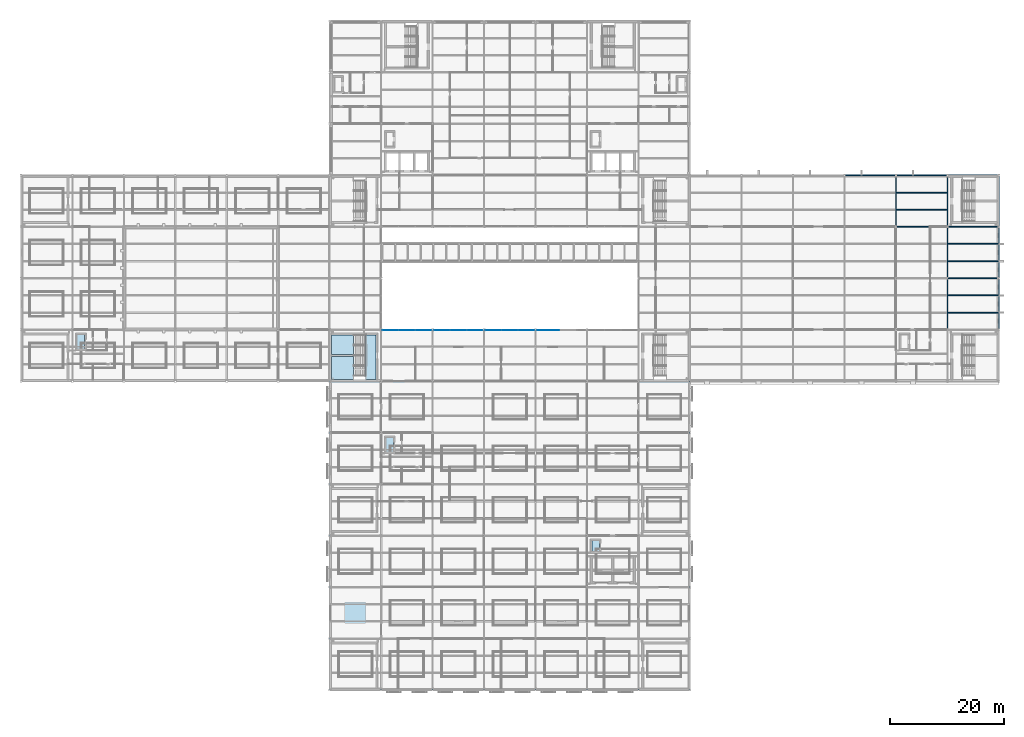
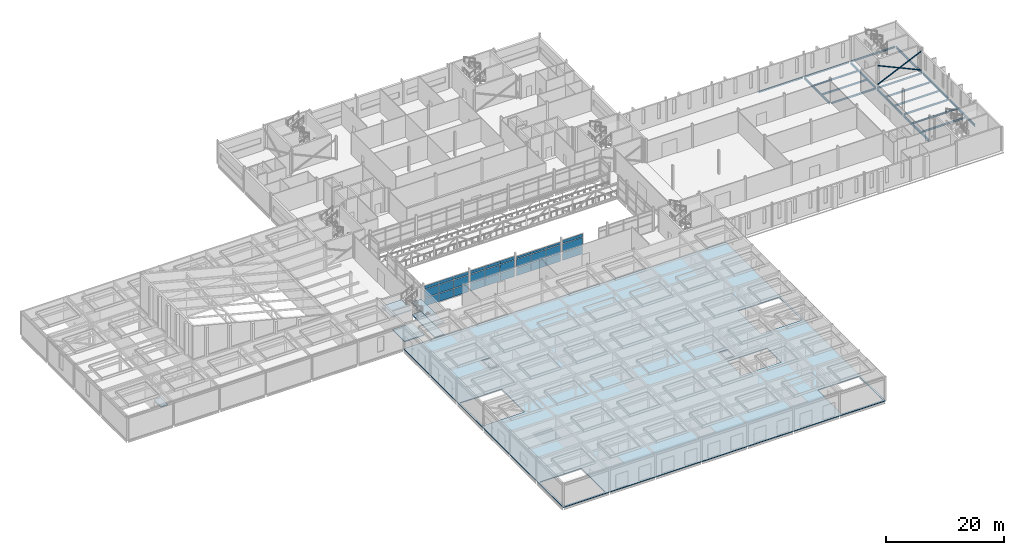
# One storey, part 71 of 115: 30 plates, 19 beams, 8 slabs, 2 members, 5 elements without a shape of their own.
"""IFC4 building model written with IfcOpenShell, lengths in metres."""

import ifcopenshell
import ifcopenshell.guid

model = None  # the IFC model being written
_history = None  # IfcOwnerHistory: only IFC2X3 demands one
_inside = {}  # id of a spatial element -> (the spatial element, [elements in it])
_under = {}  # id of a project, library or spatial element -> (it, [spatial elements below it])
_declared = {}  # id of a project -> (the project, [libraries it declares])
_typed = {}  # id of a type object -> (the type object, [elements of that type])
_made_of = {}  # id of a material, layer set ... -> (it, [elements and type objects made of it])


def new_model(schema):
    """Start an empty IFC model of exactly this schema.

    Asked for "IFC4X3", IfcOpenShell would pick the latest addendum, in which some entities
    have other attributes; the version numbers below select the first issue.
    IFC2X3 requires an IfcOwnerHistory on every rooted entity: one is made here for all.
    """
    global model, _history
    if schema == "IFC4X3":
        model = ifcopenshell.file(schema_version=(4, 3, 0, 0))
    else:
        model = ifcopenshell.file(schema=schema)
    _inside.clear()
    _under.clear()
    _declared.clear()
    _typed.clear()
    _made_of.clear()
    _history = None
    if model.schema == "IFC2X3":
        org = make("IfcOrganization", Name="unknown")
        user = make(
            "IfcPersonAndOrganization",
            ThePerson=make("IfcPerson", FamilyName="unknown"),
            TheOrganization=org,
        )
        app = make(
            "IfcApplication",
            ApplicationDeveloper=org,
            Version="unknown",
            ApplicationFullName="unknown",
            ApplicationIdentifier="unknown",
        )
        _history = make(
            "IfcOwnerHistory",
            OwningUser=user,
            OwningApplication=app,
            ChangeAction="ADDED",
            CreationDate=0,
        )
    return model


def make(cls, **values):
    """One entity of the class cls with the attributes given. An attribute that is None is left unset."""
    return model.create_entity(
        cls, **{name: value for name, value in values.items() if value is not None}
    )


def rooted(cls, **values):
    """An entity with a GlobalId (a new one), such as an element, a storey or a relation."""
    return make(cls, GlobalId=ifcopenshell.guid.new(), OwnerHistory=_history, **values)


def si_unit(unit_type, name, prefix=None):
    """IfcSIUnit, for example si_unit("LENGTHUNIT", "METRE", prefix="MILLI")."""
    return make("IfcSIUnit", UnitType=unit_type, Prefix=prefix, Name=name)


def assignment(units):
    """IfcUnitAssignment: the units of a project."""
    return None if units is None else make("IfcUnitAssignment", Units=units)


def point(xyz):
    """IfcCartesianPoint."""
    return None if xyz is None else make("IfcCartesianPoint", Coordinates=xyz)


def direction(xyz):
    """IfcDirection."""
    return None if xyz is None else make("IfcDirection", DirectionRatios=xyz)


def frame(location, z_axis=None, x_axis=None):
    """IfcAxis2Placement3D, a coordinate frame: its origin and axes. An axis left out is left unset."""
    return make(
        "IfcAxis2Placement3D",
        Location=point(location),
        Axis=direction(z_axis),
        RefDirection=direction(x_axis),
    )


def frame_2d(location, x_axis=None):
    """IfcAxis2Placement2D, a coordinate frame in the plane: its origin and x axis."""
    return make(
        "IfcAxis2Placement2D", Location=point(location), RefDirection=direction(x_axis)
    )


def origin():
    """The frame at (0, 0, 0) with its axes left unset."""
    return frame((0.0, 0.0, 0.0))


def origin_2d():
    """The frame at (0, 0) in the plane with its x axis left unset."""
    return frame_2d((0.0, 0.0))


def place(relative_to, where):
    """IfcLocalPlacement: puts the frame where relative to a parent placement (None: the world)."""
    return make(
        "IfcLocalPlacement", PlacementRelTo=relative_to, RelativePlacement=where
    )


def context(
    kind, dimensions, precision=None, world=None, true_north=None, identifier=None
):
    """IfcGeometricRepresentationContext, for example the 3D "Model" context."""
    return make(
        "IfcGeometricRepresentationContext",
        ContextIdentifier=identifier,
        ContextType=kind,
        CoordinateSpaceDimension=dimensions,
        Precision=precision,
        WorldCoordinateSystem=world,
        TrueNorth=true_north,
    )


def subcontext(parent, identifier, kind, view, scale=None):
    """IfcGeometricRepresentationSubContext, for example "Body" below "Model"."""
    return make(
        "IfcGeometricRepresentationSubContext",
        ContextIdentifier=identifier,
        ContextType=kind,
        ParentContext=parent,
        TargetScale=scale,
        TargetView=view,
    )


def project(units=None, contexts=None):
    """IfcProject with its units and contexts."""
    return rooted(
        "IfcProject",
        Name="project",
        RepresentationContexts=contexts,
        UnitsInContext=assignment(units),
    )


def spatial(cls, under=None, at=None, **own):
    """A site, building, storey or space (cls), placed at a placement, below another one or the project."""
    s = rooted(cls, ObjectPlacement=at, **own)
    if under is not None:
        _under.setdefault(under.id(), (under, []))[1].append(s)
    return s


def polyline(points):
    """IfcPolyline through the points."""
    return make("IfcPolyline", Points=[point(p) for p in points])


def profile(cls, at=None, kind="AREA", **sizes):
    """A parametric profile (cls). Its sizes go by their IFC names, for example OverallWidth=200.0."""
    return make(cls, ProfileType=kind, Position=at, **sizes)


def rectangle(**sizes):
    """IfcRectangleProfileDef."""
    return profile("IfcRectangleProfileDef", **sizes)


def hollow_circle(**sizes):
    """IfcCircleHollowProfileDef."""
    return profile("IfcCircleHollowProfileDef", **sizes)


def i_section(**sizes):
    """IfcIShapeProfileDef."""
    return profile("IfcIShapeProfileDef", **sizes)


def outline(outer, holes=None, kind="AREA"):
    """IfcArbitraryClosedProfileDef: a profile drawn as a closed curve; with holes, ...WithVoids."""
    if holes is None:
        return make("IfcArbitraryClosedProfileDef", ProfileType=kind, OuterCurve=outer)
    return make(
        "IfcArbitraryProfileDefWithVoids",
        ProfileType=kind,
        OuterCurve=outer,
        InnerCurves=holes,
    )


def extrude(swept, where, along, depth):
    """IfcExtrudedAreaSolid: the profile swept, set in the frame where, extruded along a direction by depth."""
    return make(
        "IfcExtrudedAreaSolid",
        SweptArea=swept,
        Position=where,
        ExtrudedDirection=direction(along),
        Depth=depth,
    )


def shape(context_of_items, identifier, shape_type, items):
    """IfcShapeRepresentation: the items that make up one representation, for example the "Body"."""
    return make(
        "IfcShapeRepresentation",
        ContextOfItems=context_of_items,
        RepresentationIdentifier=identifier,
        RepresentationType=shape_type,
        Items=items,
    )


def material(Name=None, Category=None):
    """IfcMaterial."""
    return make("IfcMaterial", Name=Name, Category=Category)


def layer(
    of_material, thickness, ventilated=None, Name=None, Category=None, Priority=None
):
    """IfcMaterialLayer: one layer of a wall or slab, of a material (None: an air gap)."""
    return make(
        "IfcMaterialLayer",
        Material=of_material,
        LayerThickness=thickness,
        IsVentilated=ventilated,
        Name=Name,
        Category=Category,
        Priority=Priority,
    )


def layer_set(layers, Name=None):
    """IfcMaterialLayerSet."""
    return make("IfcMaterialLayerSet", MaterialLayers=layers, LayerSetName=Name)


def material_profile(
    of_material, cross_section, Name=None, Category=None, Priority=None
):
    """IfcMaterialProfile: a cross section and its material."""
    return make(
        "IfcMaterialProfile",
        Name=Name,
        Material=of_material,
        Profile=cross_section,
        Priority=Priority,
        Category=Category,
    )


def profile_set(profiles, Name=None, composite=None):
    """IfcMaterialProfileSet."""
    return make(
        "IfcMaterialProfileSet",
        Name=Name,
        MaterialProfiles=profiles,
        CompositeProfile=composite,
    )


def made_of(thing, what):
    """Note that an element or type object is made of a material, layer set ...; save() writes the relation."""
    if what is not None:
        _made_of.setdefault(what.id(), (what, []))[1].append(thing)
    return thing


def type_object(cls, material=None, **own):
    """A type object (cls), such as IfcWallType, which elements share."""
    return made_of(rooted(cls, **own), material)


def element(
    cls,
    number,
    at=None,
    inside=None,
    cuts=None,
    type_object=None,
    material=None,
    context=None,
    identifier="Body",
    shape_type=None,
    held_by="IfcProductDefinitionShape",
    body=None,
    shapes=None,
    **own,
):
    """One element of the class cls, such as IfcWall. Its Tag is "e" and its number.

    at: its placement. inside: the storey or other place that contains it. cuts: it is an
    opening in that element (IfcRelVoidsElement). A single representation is given by context,
    identifier, shape_type and body (its items); several are given by shapes. held_by: the class
    of the entity that holds the representations. save() writes the other relations.
    """
    e = rooted(cls, Tag="e%d" % number, ObjectPlacement=at, **own)
    if body is not None:
        shapes = [shape(context, identifier, shape_type, body)]
    if shapes is not None:
        e.Representation = make(held_by, Representations=shapes)
    if inside is not None:
        _inside.setdefault(inside.id(), (inside, []))[1].append(e)
    if cuts is not None:
        rooted(
            "IfcRelVoidsElement", RelatingBuildingElement=cuts, RelatedOpeningElement=e
        )
    if type_object is not None:
        _typed.setdefault(type_object.id(), (type_object, []))[1].append(e)
    return made_of(e, material)


def aggregate(whole, parts):
    """IfcRelAggregates: a whole, such as a stair, and the parts it consists of."""
    return rooted("IfcRelAggregates", RelatingObject=whole, RelatedObjects=parts)


def save(model, path):
    """Write the relations noted so far, then the file.

    IfcRelAggregates (storeys below a building ...), IfcRelContainedInSpatialStructure (elements
    in a storey), IfcRelDefinesByType, IfcRelAssociatesMaterial and IfcRelDeclares: one each for
    every whole, place, type object, material and project.
    """
    for whole, parts in _under.values():
        aggregate(whole, parts)
    for where, things in _inside.values():
        rooted(
            "IfcRelContainedInSpatialStructure",
            RelatedElements=things,
            RelatingStructure=where,
        )
    for kind, things in _typed.values():
        rooted("IfcRelDefinesByType", RelatedObjects=things, RelatingType=kind)
    for what, things in _made_of.values():
        rooted("IfcRelAssociatesMaterial", RelatedObjects=things, RelatingMaterial=what)
    for by, libraries in _declared.values():
        rooted("IfcRelDeclares", RelatingContext=by, RelatedDefinitions=libraries)
    model.write(path)


model = new_model("IFC4")

# Units and contexts
model_context = context("Model", 3, precision=1e-05, world=origin(), true_north=direction((0.0, 1.0)))
body_context = subcontext(model_context, "Body", "Model", "MODEL_VIEW")
ifc_project = project(units=[si_unit("LENGTHUNIT", "METRE"), si_unit("AREAUNIT", "SQUARE_METRE"), si_unit("VOLUMEUNIT", "CUBIC_METRE"), si_unit("PLANEANGLEUNIT", "RADIAN"), si_unit("MASSUNIT", "GRAM", prefix="KILO")], contexts=[model_context])

# Site, building, storey
site_placement = place(None, origin())
site = spatial("IfcSite", under=ifc_project, at=site_placement, CompositionType="ELEMENT")
building_placement = place(site_placement, origin())
building = spatial("IfcBuilding", under=site, at=building_placement, Name="Shorebreak Coast Museum", CompositionType="ELEMENT")
storey_placement = place(building_placement, frame((0.0, 0.0, 11.0)))
storey = spatial("IfcBuildingStorey", under=building, at=storey_placement, Name="L02", CompositionType="ELEMENT", Elevation=11.0)

# Beams
ifc_material_1 = material(Name="Steel Grade 300", Category="steel")
ifc_material_profile_1 = material_profile(ifc_material_1, i_section(OverallWidth=0.1708984375, OverallDepth=0.355712890625, WebThickness=0.00732421875, FlangeThickness=0.011474609375, FilletRadius=0.011474609375, at=origin_2d()), Name="360UB50.7")
ifc_profile_set_1 = profile_set([ifc_material_profile_1], Name="Steel Grade 300")
beam_type_1 = type_object("IfcBeamType", Name="Floor girder east-west 360UB50.7", PredefinedType="BEAM", material=ifc_profile_set_1)
beam_1_placement = place(storey_placement, frame((162.154541015625, 72.0, -0.352783203125), z_axis=(1.0, 0.0, 0.0), x_axis=(0.0, 1.0, 0.0)))
element("IfcBeam", 1, at=beam_1_placement, inside=storey, type_object=beam_type_1, Name="Floor girder east-west L02 19J", PredefinedType="BEAM", context=body_context, shape_type="SweptSolid", body=[
    extrude(i_section(OverallWidth=0.1708984375, OverallDepth=0.355712890625, WebThickness=0.00732421875, FlangeThickness=0.011474609375, FilletRadius=0.011474609375, at=origin_2d()), origin(), (0.0, 0.0, 1.0), 8.695556640625),
])
beam_2_placement = place(storey_placement, frame((153.154541015625, 81.0, -0.352783203125), z_axis=(1.0, 0.0, 0.0), x_axis=(0.0, 1.0, 0.0)))
element("IfcBeam", 2, at=beam_2_placement, inside=storey, type_object=beam_type_1, Name="Floor girder east-west L02 18K", PredefinedType="BEAM", context=body_context, shape_type="SweptSolid", body=[
    extrude(i_section(OverallWidth=0.1708984375, OverallDepth=0.355712890625, WebThickness=0.00732421875, FlangeThickness=0.011474609375, FilletRadius=0.011474609375, at=origin_2d()), origin(), (0.0, 0.0, 1.0), 8.69091796875),
])
beam_3_placement = place(storey_placement, frame((162.154541015625, 81.0, -0.352783203125), z_axis=(1.0, 0.0, 0.0), x_axis=(0.0, 1.0, 0.0)))
element("IfcBeam", 3, at=beam_3_placement, inside=storey, type_object=beam_type_1, Name="Floor girder east-west L02 19K", PredefinedType="BEAM", context=body_context, shape_type="SweptSolid", body=[
    extrude(i_section(OverallWidth=0.1708984375, OverallDepth=0.355712890625, WebThickness=0.00732421875, FlangeThickness=0.011474609375, FilletRadius=0.011474609375, at=origin_2d()), origin(), (0.0, 0.0, 1.0), 8.695556640625),
])
for number, where, z_axis, x_axis, name in (
    (4, (144.14990234375, 90.0, -0.352783203125), (1.0, 0.0, 0.0), (0.0, 1.0, 0.0), "Floor girder east-west L02 17L"),
    (5, (153.14990234375, 90.0, -0.352783203125), (1.0, 0.0, 0.0), (0.0, 1.0, 0.0), "Floor girder east-west L02 18L"),
    (6, (162.14990234375, 90.0, -0.352783203125), (1.0, 0.0, 0.0), (0.0, 1.0, 0.0), "Floor girder east-west L02 19L"),
):
    element("IfcBeam", number, at=place(storey_placement, frame(where, z_axis=z_axis, x_axis=x_axis)), inside=storey, type_object=beam_type_1, Name=name, PredefinedType="BEAM", context=body_context, shape_type="SweptSolid", body=[
        extrude(i_section(OverallWidth=0.1708984375, OverallDepth=0.355712890625, WebThickness=0.00732421875, FlangeThickness=0.011474609375, FilletRadius=0.011474609375, at=origin_2d()), origin(), (0.0, 0.0, 1.0), 8.7001953125),
    ])
ifc_material_2 = material(Name="Steel Grade 300", Category="steel")
ifc_material_profile_2 = material_profile(ifc_material_2, i_section(OverallWidth=0.19091796875, OverallDepth=0.46044921875, WebThickness=0.010009765625, FlangeThickness=0.01611328125, FilletRadius=0.011474609375, at=origin_2d()), Name="460UB82.1")
ifc_profile_set_2 = profile_set([ifc_material_profile_2], Name="Steel Grade 300")
beam_type_2 = type_object("IfcBeamType", Name="Floor girder north-south 460UB82.1", PredefinedType="BEAM", material=ifc_profile_set_2)
beam_4_placement = place(storey_placement, frame((162.0, 63.160400390625, -0.4052734375), z_axis=(0.0, 1.0, 0.0), x_axis=(-1.0, 0.0, 0.0)))
element("IfcBeam", 7, at=beam_4_placement, inside=storey, type_object=beam_type_2, Name="Floor girder north-south L02 19H", PredefinedType="BEAM", context=body_context, shape_type="SweptSolid", body=[
    extrude(i_section(OverallWidth=0.19091796875, OverallDepth=0.46044921875, WebThickness=0.010009765625, FlangeThickness=0.01611328125, FilletRadius=0.011474609375, at=origin_2d()), origin(), (0.0, 0.0, 1.0), 8.67919921875),
])
beam_5_placement = place(storey_placement, frame((171.0, 63.14990234375, -0.4052734375), z_axis=(0.0, 1.0, 0.0), x_axis=(-1.0, 0.0, 0.0)))
element("IfcBeam", 8, at=beam_5_placement, inside=storey, type_object=beam_type_2, Name="Floor girder north-south L02 20H", PredefinedType="BEAM", context=body_context, shape_type="SweptSolid", body=[
    extrude(i_section(OverallWidth=0.19091796875, OverallDepth=0.46044921875, WebThickness=0.010009765625, FlangeThickness=0.01611328125, FilletRadius=0.011474609375, at=origin_2d()), origin(), (0.0, 0.0, 1.0), 8.7001953125),
])
beam_6_placement = place(storey_placement, frame((162.0, 72.160400390625, -0.4052734375), z_axis=(0.0, 1.0, 0.0), x_axis=(-1.0, 0.0, 0.0)))
element("IfcBeam", 9, at=beam_6_placement, inside=storey, type_object=beam_type_2, Name="Floor girder north-south L02 19J", PredefinedType="BEAM", context=body_context, shape_type="SweptSolid", body=[
    extrude(i_section(OverallWidth=0.19091796875, OverallDepth=0.46044921875, WebThickness=0.010009765625, FlangeThickness=0.01611328125, FilletRadius=0.011474609375, at=origin_2d()), origin(), (0.0, 0.0, 1.0), 8.67919921875),
])
beam_7_placement = place(storey_placement, frame((171.0, 72.14990234375, -0.4052734375), z_axis=(0.0, 1.0, 0.0), x_axis=(-1.0, 0.0, 0.0)))
element("IfcBeam", 10, at=beam_7_placement, inside=storey, type_object=beam_type_2, Name="Floor girder north-south L02 20J", PredefinedType="BEAM", context=body_context, shape_type="SweptSolid", body=[
    extrude(i_section(OverallWidth=0.19091796875, OverallDepth=0.46044921875, WebThickness=0.010009765625, FlangeThickness=0.01611328125, FilletRadius=0.011474609375, at=origin_2d()), origin(), (0.0, 0.0, 1.0), 8.7001953125),
])
for number, where, z_axis, x_axis, name in (
    (11, (153.0, 81.160400390625, -0.4052734375), (0.0, 1.0, 0.0), (-1.0, 0.0, 0.0), "Floor girder north-south L02 18K"),
    (12, (162.0, 81.160400390625, -0.4052734375), (0.0, 1.0, 0.0), (-1.0, 0.0, 0.0), "Floor girder north-south L02 19K"),
):
    element("IfcBeam", number, at=place(storey_placement, frame(where, z_axis=z_axis, x_axis=x_axis)), inside=storey, type_object=beam_type_2, Name=name, PredefinedType="BEAM", context=body_context, shape_type="SweptSolid", body=[
        extrude(i_section(OverallWidth=0.19091796875, OverallDepth=0.46044921875, WebThickness=0.010009765625, FlangeThickness=0.01611328125, FilletRadius=0.011474609375, at=origin_2d()), origin(), (0.0, 0.0, 1.0), 8.689697265625),
    ])
beam_8_placement = place(storey_placement, frame((171.0, 81.14990234375, -0.4052734375), z_axis=(0.0, 1.0, 0.0), x_axis=(-1.0, 0.0, 0.0)))
element("IfcBeam", 13, at=beam_8_placement, inside=storey, type_object=beam_type_2, Name="Floor girder north-south L02 20K", PredefinedType="BEAM", context=body_context, shape_type="SweptSolid", body=[
    extrude(i_section(OverallWidth=0.19091796875, OverallDepth=0.46044921875, WebThickness=0.010009765625, FlangeThickness=0.01611328125, FilletRadius=0.011474609375, at=origin_2d()), origin(), (0.0, 0.0, 1.0), 8.7001953125),
])
ifc_material_3 = material(Name="Steel Grade 300", Category="steel")
ifc_material_profile_3 = material_profile(ifc_material_3, i_section(OverallWidth=0.1708984375, OverallDepth=0.355712890625, WebThickness=0.00732421875, FlangeThickness=0.011474609375, FilletRadius=0.011474609375, at=origin_2d()), Name="360UB50.7")
ifc_profile_set_3 = profile_set([ifc_material_profile_3], Name="Steel Grade 300")
beam_type_3 = type_object("IfcBeamType", Name="Floor joist 360UB50.7", PredefinedType="JOIST", material=ifc_profile_set_3)
for number, where, z_axis, x_axis, name in (
    (14, (162.095458984375, 66.0, -0.352783203125), (1.0, 0.0, 0.0), (0.0, 1.0, 0.0), "Floor joist L02 bay 19H at 3000 mm"),
    (15, (162.095458984375, 69.0, -0.352783203125), (1.0, 0.0, 0.0), (0.0, 1.0, 0.0), "Floor joist L02 bay 19H at 6000 mm"),
    (16, (162.095458984375, 75.0, -0.352783203125), (1.0, 0.0, 0.0), (0.0, 1.0, 0.0), "Floor joist L02 bay 19J at 3000 mm"),
    (17, (162.095458984375, 78.0, -0.352783203125), (1.0, 0.0, 0.0), (0.0, 1.0, 0.0), "Floor joist L02 bay 19J at 6000 mm"),
    (18, (153.095458984375, 84.0, -0.352783203125), (1.0, 0.0, 0.0), (0.0, 1.0, 0.0), "Floor joist L02 bay 18K at 3000 mm"),
    (19, (153.095458984375, 87.0, -0.352783203125), (1.0, 0.0, 0.0), (0.0, 1.0, 0.0), "Floor joist L02 bay 18K at 6000 mm"),
):
    element("IfcBeam", number, at=place(storey_placement, frame(where, z_axis=z_axis, x_axis=x_axis)), inside=storey, type_object=beam_type_3, Name=name, PredefinedType="JOIST", context=body_context, shape_type="SweptSolid", body=[
        extrude(i_section(OverallWidth=0.1708984375, OverallDepth=0.355712890625, WebThickness=0.00732421875, FlangeThickness=0.011474609375, FilletRadius=0.011474609375, at=origin_2d()), origin(), (0.0, 0.0, 1.0), 8.80908203125),
    ])

# Members
ifc_material_4 = material(Name="Steel Grade C350L0", Category="steel")
ifc_material_profile_4 = material_profile(ifc_material_4, hollow_circle(Radius=0.109619140625, WallThickness=0.00830078125, at=origin_2d()), Name="219.1x8.2 CHS")
ifc_profile_set_4 = profile_set([ifc_material_profile_4], Name="Steel Grade C350L0")
member_type = type_object("IfcMemberType", Name="X-brace 219.1x8.2 CHS", PredefinedType="BRACE", material=ifc_profile_set_4)
for number, where, z_axis, x_axis, name in (
    (20, (162.153564453125, 81.0, 0.300048828125), (0.90950233373, 0.0, 0.415698815178), (0.0, 1.0, 0.0), "X-brace bay 08 L02 diagonal 1"),
    (21, (170.85009765625, 81.0, 0.300048828125), (-0.90950233373, 0.0, 0.415698815178), (0.0, -1.0, 0.0), "X-brace bay 08 L02 diagonal 2"),
):
    element("IfcMember", number, at=place(storey_placement, frame(where, z_axis=z_axis, x_axis=x_axis)), inside=storey, type_object=member_type, Name=name, PredefinedType="BRACE", context=body_context, shape_type="SweptSolid", body=[
        extrude(hollow_circle(Radius=0.109619140625, WallThickness=0.00830078125, at=origin_2d()), origin(), (0.0, 0.0, 1.0), 9.561767578125),
    ])

# Curtain wall, plates
ifc_material_5 = material(Name="Aluminium", Category="aluminium")
ifc_layer_1 = layer(ifc_material_5, 0.1201171875)
ifc_layer_set_1 = layer_set([ifc_layer_1], Name="Aluminium")
curtain_wall_type = type_object("IfcCurtainWallType", Name="Atrium fire screen", PredefinedType="NOTDEFINED", material=ifc_layer_set_1)
curtain_wall_1_placement = place(storey_placement, origin())
curtain_wall_1 = element("IfcCurtainWall", 22, at=curtain_wall_1_placement, inside=storey, type_object=curtain_wall_type, Name="Atrium screen L02 S 16", PredefinedType="NOTDEFINED")
ifc_material_6 = material(Name="Glass", Category="glass")
ifc_layer_2 = layer(ifc_material_6, 0.034912109375)
ifc_layer_set_2 = layer_set([ifc_layer_2], Name="Glass")
plate_type = type_object("IfcPlateType", Name="Fire-resisting glass panel 35", PredefinedType="CURTAIN_PANEL", material=ifc_layer_set_2)
plate_1_placement = place(storey_placement, frame((64.6162109375, 62.93994140625, 0.119873046875), z_axis=(0.0, 0.0, 1.0), x_axis=(1.0, 0.0, 0.0)))
plate_1 = element("IfcPlate", 23, at=plate_1_placement, type_object=plate_type, Name="CW5 panel 1.1", PredefinedType="CURTAIN_PANEL", context=body_context, shape_type="SweptSolid", body=[
    extrude(rectangle(XDim=2.8212890625, YDim=0.034912109375, at=origin_2d()), origin(), (0.0, 0.0, 1.0), 1.6201171875),
])
plate_2_placement = place(storey_placement, frame((64.6162109375, 62.93994140625, 1.85986328125), z_axis=(0.0, 0.0, 1.0), x_axis=(1.0, 0.0, 0.0)))
plate_2 = element("IfcPlate", 24, at=plate_2_placement, type_object=plate_type, Name="CW5 panel 1.2", PredefinedType="CURTAIN_PANEL", context=body_context, shape_type="SweptSolid", body=[
    extrude(rectangle(XDim=2.8212890625, YDim=0.034912109375, at=origin_2d()), origin(), (0.0, 0.0, 1.0), 1.679931640625),
])
plate_3_placement = place(storey_placement, frame((64.6162109375, 62.93994140625, 3.66015625), z_axis=(0.0, 0.0, 1.0), x_axis=(1.0, 0.0, 0.0)))
plate_3 = element("IfcPlate", 25, at=plate_3_placement, type_object=plate_type, Name="CW5 panel 1.3", PredefinedType="CURTAIN_PANEL", context=body_context, shape_type="SweptSolid", body=[
    extrude(rectangle(XDim=2.8212890625, YDim=0.034912109375, at=origin_2d()), origin(), (0.0, 0.0, 1.0), 0.642333984375),
])
plate_4_placement = place(storey_placement, frame((67.5, 62.93994140625, 0.119873046875), z_axis=(0.0, 0.0, 1.0), x_axis=(1.0, 0.0, 0.0)))
plate_4 = element("IfcPlate", 26, at=plate_4_placement, type_object=plate_type, Name="CW5 panel 2.1", PredefinedType="CURTAIN_PANEL", context=body_context, shape_type="SweptSolid", body=[
    extrude(rectangle(XDim=2.846435546875, YDim=0.034912109375, at=origin_2d()), origin(), (0.0, 0.0, 1.0), 1.6201171875),
])
plate_5_placement = place(storey_placement, frame((67.5, 62.93994140625, 1.85986328125), z_axis=(0.0, 0.0, 1.0), x_axis=(1.0, 0.0, 0.0)))
plate_5 = element("IfcPlate", 27, at=plate_5_placement, type_object=plate_type, Name="CW5 panel 2.2", PredefinedType="CURTAIN_PANEL", context=body_context, shape_type="SweptSolid", body=[
    extrude(rectangle(XDim=2.846435546875, YDim=0.034912109375, at=origin_2d()), origin(), (0.0, 0.0, 1.0), 1.679931640625),
])
plate_6_placement = place(storey_placement, frame((67.5, 62.93994140625, 3.66015625), z_axis=(0.0, 0.0, 1.0), x_axis=(1.0, 0.0, 0.0)))
plate_6 = element("IfcPlate", 28, at=plate_6_placement, type_object=plate_type, Name="CW5 panel 2.3", PredefinedType="CURTAIN_PANEL", context=body_context, shape_type="SweptSolid", body=[
    extrude(rectangle(XDim=2.846435546875, YDim=0.034912109375, at=origin_2d()), origin(), (0.0, 0.0, 1.0), 0.642333984375),
])
plate_7_placement = place(storey_placement, frame((70.3837890625, 62.93994140625, 0.119873046875), z_axis=(0.0, 0.0, 1.0), x_axis=(1.0, 0.0, 0.0)))
plate_7 = element("IfcPlate", 29, at=plate_7_placement, type_object=plate_type, Name="CW5 panel 3.1", PredefinedType="CURTAIN_PANEL", context=body_context, shape_type="SweptSolid", body=[
    extrude(rectangle(XDim=2.8212890625, YDim=0.034912109375, at=origin_2d()), origin(), (0.0, 0.0, 1.0), 1.6201171875),
])
plate_8_placement = place(storey_placement, frame((70.3837890625, 62.93994140625, 1.85986328125), z_axis=(0.0, 0.0, 1.0), x_axis=(1.0, 0.0, 0.0)))
plate_8 = element("IfcPlate", 30, at=plate_8_placement, type_object=plate_type, Name="CW5 panel 3.2", PredefinedType="CURTAIN_PANEL", context=body_context, shape_type="SweptSolid", body=[
    extrude(rectangle(XDim=2.8212890625, YDim=0.034912109375, at=origin_2d()), origin(), (0.0, 0.0, 1.0), 1.679931640625),
])
plate_9_placement = place(storey_placement, frame((70.3837890625, 62.93994140625, 3.66015625), z_axis=(0.0, 0.0, 1.0), x_axis=(1.0, 0.0, 0.0)))
plate_9 = element("IfcPlate", 31, at=plate_9_placement, type_object=plate_type, Name="CW5 panel 3.3", PredefinedType="CURTAIN_PANEL", context=body_context, shape_type="SweptSolid", body=[
    extrude(rectangle(XDim=2.8212890625, YDim=0.034912109375, at=origin_2d()), origin(), (0.0, 0.0, 1.0), 0.642333984375),
])
aggregate(curtain_wall_1, [plate_1, plate_2, plate_3, plate_4, plate_5, plate_6, plate_7, plate_8, plate_9])

curtain_wall_2_placement = place(storey_placement, origin())
curtain_wall_2 = element("IfcCurtainWall", 32, at=curtain_wall_2_placement, inside=storey, type_object=curtain_wall_type, Name="Atrium screen L02 S 17", PredefinedType="NOTDEFINED")
plate_10_placement = place(storey_placement, frame((73.6162109375, 62.93994140625, 0.119873046875), z_axis=(0.0, 0.0, 1.0), x_axis=(1.0, 0.0, 0.0)))
plate_10 = element("IfcPlate", 33, at=plate_10_placement, type_object=plate_type, Name="CW6 panel 1.1", PredefinedType="CURTAIN_PANEL", context=body_context, shape_type="SweptSolid", body=[
    extrude(rectangle(XDim=2.8212890625, YDim=0.034912109375, at=origin_2d()), origin(), (0.0, 0.0, 1.0), 1.6201171875),
])
plate_11_placement = place(storey_placement, frame((73.6162109375, 62.93994140625, 1.85986328125), z_axis=(0.0, 0.0, 1.0), x_axis=(1.0, 0.0, 0.0)))
plate_11 = element("IfcPlate", 34, at=plate_11_placement, type_object=plate_type, Name="CW6 panel 1.2", PredefinedType="CURTAIN_PANEL", context=body_context, shape_type="SweptSolid", body=[
    extrude(rectangle(XDim=2.8212890625, YDim=0.034912109375, at=origin_2d()), origin(), (0.0, 0.0, 1.0), 1.679931640625),
])
plate_12_placement = place(storey_placement, frame((73.6162109375, 62.93994140625, 3.66015625), z_axis=(0.0, 0.0, 1.0), x_axis=(1.0, 0.0, 0.0)))
plate_12 = element("IfcPlate", 35, at=plate_12_placement, type_object=plate_type, Name="CW6 panel 1.3", PredefinedType="CURTAIN_PANEL", context=body_context, shape_type="SweptSolid", body=[
    extrude(rectangle(XDim=2.8212890625, YDim=0.034912109375, at=origin_2d()), origin(), (0.0, 0.0, 1.0), 0.642333984375),
])
plate_13_placement = place(storey_placement, frame((76.5, 62.93994140625, 0.119873046875), z_axis=(0.0, 0.0, 1.0), x_axis=(1.0, 0.0, 0.0)))
plate_13 = element("IfcPlate", 36, at=plate_13_placement, type_object=plate_type, Name="CW6 panel 2.1", PredefinedType="CURTAIN_PANEL", context=body_context, shape_type="SweptSolid", body=[
    extrude(rectangle(XDim=2.846435546875, YDim=0.034912109375, at=origin_2d()), origin(), (0.0, 0.0, 1.0), 1.6201171875),
])
plate_14_placement = place(storey_placement, frame((76.5, 62.93994140625, 1.85986328125), z_axis=(0.0, 0.0, 1.0), x_axis=(1.0, 0.0, 0.0)))
plate_14 = element("IfcPlate", 37, at=plate_14_placement, type_object=plate_type, Name="CW6 panel 2.2", PredefinedType="CURTAIN_PANEL", context=body_context, shape_type="SweptSolid", body=[
    extrude(rectangle(XDim=2.846435546875, YDim=0.034912109375, at=origin_2d()), origin(), (0.0, 0.0, 1.0), 1.679931640625),
])
plate_15_placement = place(storey_placement, frame((76.5, 62.93994140625, 3.66015625), z_axis=(0.0, 0.0, 1.0), x_axis=(1.0, 0.0, 0.0)))
plate_15 = element("IfcPlate", 38, at=plate_15_placement, type_object=plate_type, Name="CW6 panel 2.3", PredefinedType="CURTAIN_PANEL", context=body_context, shape_type="SweptSolid", body=[
    extrude(rectangle(XDim=2.846435546875, YDim=0.034912109375, at=origin_2d()), origin(), (0.0, 0.0, 1.0), 0.642333984375),
])
plate_16_placement = place(storey_placement, frame((79.3837890625, 62.93994140625, 0.119873046875), z_axis=(0.0, 0.0, 1.0), x_axis=(1.0, 0.0, 0.0)))
plate_16 = element("IfcPlate", 39, at=plate_16_placement, type_object=plate_type, Name="CW6 panel 3.1", PredefinedType="CURTAIN_PANEL", context=body_context, shape_type="SweptSolid", body=[
    extrude(rectangle(XDim=2.8212890625, YDim=0.034912109375, at=origin_2d()), origin(), (0.0, 0.0, 1.0), 1.6201171875),
])
plate_17_placement = place(storey_placement, frame((79.3837890625, 62.93994140625, 1.85986328125), z_axis=(0.0, 0.0, 1.0), x_axis=(1.0, 0.0, 0.0)))
plate_17 = element("IfcPlate", 40, at=plate_17_placement, type_object=plate_type, Name="CW6 panel 3.2", PredefinedType="CURTAIN_PANEL", context=body_context, shape_type="SweptSolid", body=[
    extrude(rectangle(XDim=2.8212890625, YDim=0.034912109375, at=origin_2d()), origin(), (0.0, 0.0, 1.0), 1.679931640625),
])
plate_18_placement = place(storey_placement, frame((79.3837890625, 62.93994140625, 3.66015625), z_axis=(0.0, 0.0, 1.0), x_axis=(1.0, 0.0, 0.0)))
plate_18 = element("IfcPlate", 41, at=plate_18_placement, type_object=plate_type, Name="CW6 panel 3.3", PredefinedType="CURTAIN_PANEL", context=body_context, shape_type="SweptSolid", body=[
    extrude(rectangle(XDim=2.8212890625, YDim=0.034912109375, at=origin_2d()), origin(), (0.0, 0.0, 1.0), 0.642333984375),
])
aggregate(curtain_wall_2, [plate_10, plate_11, plate_12, plate_13, plate_14, plate_15, plate_16, plate_17, plate_18])

curtain_wall_3_placement = place(storey_placement, origin())
curtain_wall_3 = element("IfcCurtainWall", 42, at=curtain_wall_3_placement, inside=storey, type_object=curtain_wall_type, Name="Atrium screen L02 S 18", PredefinedType="NOTDEFINED")
plate_19_placement = place(storey_placement, frame((82.6162109375, 62.93994140625, 0.119873046875), z_axis=(0.0, 0.0, 1.0), x_axis=(1.0, 0.0, 0.0)))
plate_19 = element("IfcPlate", 43, at=plate_19_placement, type_object=plate_type, Name="CW4 panel 1.1", PredefinedType="CURTAIN_PANEL", context=body_context, shape_type="SweptSolid", body=[
    extrude(rectangle(XDim=2.8212890625, YDim=0.034912109375, at=origin_2d()), origin(), (0.0, 0.0, 1.0), 1.6201171875),
])
plate_20_placement = place(storey_placement, frame((82.6162109375, 62.93994140625, 1.85986328125), z_axis=(0.0, 0.0, 1.0), x_axis=(1.0, 0.0, 0.0)))
plate_20 = element("IfcPlate", 44, at=plate_20_placement, type_object=plate_type, Name="CW4 panel 1.2", PredefinedType="CURTAIN_PANEL", context=body_context, shape_type="SweptSolid", body=[
    extrude(rectangle(XDim=2.8212890625, YDim=0.034912109375, at=origin_2d()), origin(), (0.0, 0.0, 1.0), 1.679931640625),
])
plate_21_placement = place(storey_placement, frame((82.6162109375, 62.93994140625, 3.659912109375), z_axis=(0.0, 0.0, 1.0), x_axis=(1.0, 0.0, 0.0)))
plate_21 = element("IfcPlate", 45, at=plate_21_placement, type_object=plate_type, Name="CW4 panel 1.3", PredefinedType="CURTAIN_PANEL", context=body_context, shape_type="SweptSolid", body=[
    extrude(rectangle(XDim=2.8212890625, YDim=0.034912109375, at=origin_2d()), origin(), (0.0, 0.0, 1.0), 0.43310546875),
])
plate_22_placement = place(storey_placement, frame((85.5, 62.93994140625, 0.119873046875), z_axis=(0.0, 0.0, 1.0), x_axis=(1.0, 0.0, 0.0)))
plate_22 = element("IfcPlate", 46, at=plate_22_placement, type_object=plate_type, Name="CW4 panel 2.1", PredefinedType="CURTAIN_PANEL", context=body_context, shape_type="SweptSolid", body=[
    extrude(rectangle(XDim=2.846435546875, YDim=0.034912109375, at=origin_2d()), origin(), (0.0, 0.0, 1.0), 1.6201171875),
])
plate_23_placement = place(storey_placement, frame((85.5, 62.93994140625, 1.85986328125), z_axis=(0.0, 0.0, 1.0), x_axis=(1.0, 0.0, 0.0)))
plate_23 = element("IfcPlate", 47, at=plate_23_placement, type_object=plate_type, Name="CW4 panel 2.2", PredefinedType="CURTAIN_PANEL", context=body_context, shape_type="SweptSolid", body=[
    extrude(rectangle(XDim=2.846435546875, YDim=0.034912109375, at=origin_2d()), origin(), (0.0, 0.0, 1.0), 1.679931640625),
])
plate_24_placement = place(storey_placement, frame((85.5, 62.93994140625, 3.659912109375), z_axis=(0.0, 0.0, 1.0), x_axis=(1.0, 0.0, 0.0)))
plate_24 = element("IfcPlate", 48, at=plate_24_placement, type_object=plate_type, Name="CW4 panel 2.3", PredefinedType="CURTAIN_PANEL", context=body_context, shape_type="SweptSolid", body=[
    extrude(rectangle(XDim=2.846435546875, YDim=0.034912109375, at=origin_2d()), origin(), (0.0, 0.0, 1.0), 0.43310546875),
])
plate_25_placement = place(storey_placement, frame((88.3837890625, 62.93994140625, 0.119873046875), z_axis=(0.0, 0.0, 1.0), x_axis=(1.0, 0.0, 0.0)))
plate_25 = element("IfcPlate", 49, at=plate_25_placement, type_object=plate_type, Name="CW4 panel 3.1", PredefinedType="CURTAIN_PANEL", context=body_context, shape_type="SweptSolid", body=[
    extrude(rectangle(XDim=2.8212890625, YDim=0.034912109375, at=origin_2d()), origin(), (0.0, 0.0, 1.0), 1.6201171875),
])
plate_26_placement = place(storey_placement, frame((88.3837890625, 62.93994140625, 1.85986328125), z_axis=(0.0, 0.0, 1.0), x_axis=(1.0, 0.0, 0.0)))
plate_26 = element("IfcPlate", 50, at=plate_26_placement, type_object=plate_type, Name="CW4 panel 3.2", PredefinedType="CURTAIN_PANEL", context=body_context, shape_type="SweptSolid", body=[
    extrude(rectangle(XDim=2.8212890625, YDim=0.034912109375, at=origin_2d()), origin(), (0.0, 0.0, 1.0), 1.679931640625),
])
plate_27_placement = place(storey_placement, frame((88.3837890625, 62.93994140625, 3.659912109375), z_axis=(0.0, 0.0, 1.0), x_axis=(1.0, 0.0, 0.0)))
plate_27 = element("IfcPlate", 51, at=plate_27_placement, type_object=plate_type, Name="CW4 panel 3.3", PredefinedType="CURTAIN_PANEL", context=body_context, shape_type="SweptSolid", body=[
    extrude(rectangle(XDim=2.8212890625, YDim=0.034912109375, at=origin_2d()), origin(), (0.0, 0.0, 1.0), 0.43310546875),
])
aggregate(curtain_wall_3, [plate_19, plate_20, plate_21, plate_22, plate_23, plate_24, plate_25, plate_26, plate_27])

curtain_wall_4_placement = place(storey_placement, origin())
curtain_wall_4 = element("IfcCurtainWall", 52, at=curtain_wall_4_placement, inside=storey, type_object=curtain_wall_type, Name="Atrium screen L02 S 19", PredefinedType="NOTDEFINED")
plate_28_placement = place(storey_placement, frame((92.177734375, 62.93994140625, 0.119873046875), z_axis=(0.0, 0.0, 1.0), x_axis=(1.0, 0.0, 0.0)))
plate_28 = element("IfcPlate", 53, at=plate_28_placement, type_object=plate_type, Name="CW5 panel 1.1", PredefinedType="CURTAIN_PANEL", context=body_context, shape_type="SweptSolid", body=[
    extrude(rectangle(XDim=3.944580078125, YDim=0.034912109375, at=origin_2d()), origin(), (0.0, 0.0, 1.0), 1.6201171875),
])
plate_29_placement = place(storey_placement, frame((92.177734375, 62.93994140625, 1.85986328125), z_axis=(0.0, 0.0, 1.0), x_axis=(1.0, 0.0, 0.0)))
plate_29 = element("IfcPlate", 54, at=plate_29_placement, type_object=plate_type, Name="CW5 panel 1.2", PredefinedType="CURTAIN_PANEL", context=body_context, shape_type="SweptSolid", body=[
    extrude(rectangle(XDim=3.944580078125, YDim=0.034912109375, at=origin_2d()), origin(), (0.0, 0.0, 1.0), 1.679931640625),
])
plate_30_placement = place(storey_placement, frame((92.177734375, 62.93994140625, 3.66015625), z_axis=(0.0, 0.0, 1.0), x_axis=(1.0, 0.0, 0.0)))
plate_30 = element("IfcPlate", 55, at=plate_30_placement, type_object=plate_type, Name="CW5 panel 1.3", PredefinedType="CURTAIN_PANEL", context=body_context, shape_type="SweptSolid", body=[
    extrude(rectangle(XDim=3.944580078125, YDim=0.034912109375, at=origin_2d()), origin(), (0.0, 0.0, 1.0), 0.642333984375),
])
aggregate(curtain_wall_4, [plate_28, plate_29, plate_30])

# Slabs
ifc_material_7 = material(Name="Concrete N40 (40 MPa)", Category="concrete")
ifc_layer_3 = layer(ifc_material_7, 0.175048828125)
ifc_layer_set_3 = layer_set([ifc_layer_3], Name="Concrete N40 (40 MPa)")
slab_type_1 = type_object("IfcSlabType", Name="Floor slab 175 concrete N40", PredefinedType="FLOOR", material=ifc_layer_set_3)
slab_1_placement = place(storey_placement, frame((0.0, 0.0, -0.175048828125)))
element("IfcSlab", 56, at=slab_1_placement, inside=storey, type_object=slab_type_1, Name="Floor slab L02 south arm", PredefinedType="FLOOR", context=body_context, shape_type="SweptSolid", body=[
    extrude(outline(polyline([(117.0, 54.0), (54.0, 54.0), (54.0, 0.0), (117.0, 0.0), (117.0, 54.0)]), holes=[polyline([(99.60009765625, 18.60009765625), (99.60009765625, 23.39990234375), (107.39990234375, 23.39990234375), (107.39990234375, 18.60009765625), (99.60009765625, 18.60009765625)]), polyline([(99.60009765625, 26.39990234375), (101.39990234375, 26.39990234375), (101.39990234375, 24.0), (99.60009765625, 24.0), (99.60009765625, 26.39990234375)]), polyline([(65.39990234375, 44.39990234375), (65.39990234375, 41.39990234375), (63.60009765625, 41.39990234375), (63.60009765625, 44.39990234375), (65.39990234375, 44.39990234375)]), polyline([(62.39990234375, 0.300048828125), (54.300048828125, 0.300048828125), (54.300048828125, 8.39990234375), (62.39990234375, 8.39990234375), (62.39990234375, 0.300048828125)]), polyline([(108.60009765625, 0.300048828125), (108.60009765625, 8.39990234375), (116.699951171875, 8.39990234375), (116.699951171875, 0.300048828125), (108.60009765625, 0.300048828125)]), polyline([(54.300048828125, 35.39990234375), (62.39990234375, 35.39990234375), (62.39990234375, 27.60009765625), (54.300048828125, 27.60009765625), (54.300048828125, 35.39990234375)]), polyline([(116.699951171875, 35.39990234375), (116.699951171875, 27.60009765625), (108.60009765625, 27.60009765625), (108.60009765625, 35.39990234375), (116.699951171875, 35.39990234375)])]), origin(), (0.0, 0.0, 1.0), 0.175048828125),
])
ifc_material_8 = material(Name="Concrete N40 (40 MPa)", Category="concrete")
ifc_layer_4 = layer(ifc_material_8, 0.10009765625)
ifc_layer_set_4 = layer_set([ifc_layer_4], Name="Concrete N40 (40 MPa)")
slab_type_2 = type_object("IfcSlabType", Name="Riser platform 100", PredefinedType="USERDEFINED", material=ifc_layer_set_4)
slab_2_placement = place(storey_placement, frame((0.0, 0.0, -0.10009765625)))
element("IfcSlab", 57, at=slab_2_placement, inside=storey, type_object=slab_type_2, Name="Riser platform R-WC-W L02", ObjectType="RISER PLATFORM", PredefinedType="USERDEFINED", context=body_context, shape_type="SweptSolid", body=[
    extrude(outline(polyline([(9.85009765625, 59.64990234375), (11.14990234375, 59.64990234375), (11.14990234375, 62.14990234375), (9.85009765625, 62.14990234375), (9.85009765625, 59.64990234375)])), origin(), (0.0, 0.0, 1.0), 0.10009765625),
])
slab_3_placement = place(storey_placement, frame((0.0, 0.0, -0.10009765625)))
element("IfcSlab", 58, at=slab_3_placement, inside=storey, type_object=slab_type_2, Name="Riser platform R-WC-S L02", ObjectType="RISER PLATFORM", PredefinedType="USERDEFINED", context=body_context, shape_type="SweptSolid", body=[
    extrude(outline(polyline([(63.85009765625, 41.64990234375), (65.14990234375, 41.64990234375), (65.14990234375, 44.14990234375), (63.85009765625, 44.14990234375), (63.85009765625, 41.64990234375)])), origin(), (0.0, 0.0, 1.0), 0.10009765625),
])
slab_4_placement = place(storey_placement, frame((0.0, 0.0, -0.10009765625)))
element("IfcSlab", 59, at=slab_4_placement, inside=storey, type_object=slab_type_2, Name="Riser platform R-LBG L02", ObjectType="RISER PLATFORM", PredefinedType="USERDEFINED", context=body_context, shape_type="SweptSolid", body=[
    extrude(outline(polyline([(99.85009765625, 24.25), (101.14990234375, 24.25), (101.14990234375, 26.14990234375), (99.85009765625, 26.14990234375), (99.85009765625, 24.25)])), origin(), (0.0, 0.0, 1.0), 0.10009765625),
])

# Stair, slabs
ifc_material_9 = material(Name="Concrete N40 (40 MPa)", Category="concrete")
stair_type = type_object("IfcStairType", Name="Stair run 5 m", PredefinedType="DOUBLE_RETURN_STAIR", material=ifc_material_9)
stair_placement = place(storey_placement, origin())
stair = element("IfcStair", 60, at=stair_placement, inside=storey, type_object=stair_type, Name="Exit stair ST01-L02", PredefinedType="DOUBLE_RETURN_STAIR")
ifc_material_10 = material(Name="Concrete N40 (40 MPa)", Category="concrete")
ifc_layer_5 = layer(ifc_material_10, 0.199951171875)
ifc_layer_set_5 = layer_set([ifc_layer_5], Name="Concrete N40 (40 MPa)")
slab_type_3 = type_object("IfcSlabType", Name="Stair landing 200", PredefinedType="LANDING", material=ifc_layer_set_5)
slab_5_placement = place(storey_placement, frame((0.0, 0.0, -0.199951171875)))
slab_5 = element("IfcSlab", 61, at=slab_5_placement, type_object=slab_type_3, Name="ST01-L02 landing 1", PredefinedType="LANDING", context=body_context, shape_type="SweptSolid", body=[
    extrude(outline(polyline([(60.300048828125, 54.300048828125), (62.10009765625, 54.300048828125), (62.10009765625, 62.10009765625), (60.300048828125, 62.10009765625), (60.300048828125, 54.300048828125)])), origin(), (0.0, 0.0, 1.0), 0.199951171875),
])
slab_6_placement = place(storey_placement, frame((0.0, 0.0, 2.300048828125)))
slab_6 = element("IfcSlab", 62, at=slab_6_placement, type_object=slab_type_3, Name="ST01-L02 landing 2", PredefinedType="LANDING", context=body_context, shape_type="SweptSolid", body=[
    extrude(outline(polyline([(60.300048828125, 54.300048828125), (62.10009765625, 54.300048828125), (62.10009765625, 62.10009765625), (60.300048828125, 62.10009765625), (60.300048828125, 54.300048828125)])), origin(), (0.0, 0.0, 1.0), 0.199951171875),
])
slab_7_placement = place(storey_placement, frame((0.0, 0.0, 1.050048828125)))
slab_7 = element("IfcSlab", 63, at=slab_7_placement, type_object=slab_type_3, Name="ST01-L02 landing 3", PredefinedType="LANDING", context=body_context, shape_type="SweptSolid", body=[
    extrude(outline(polyline([(54.300048828125, 54.300048828125), (58.199951171875, 54.300048828125), (58.199951171875, 58.35009765625), (54.300048828125, 58.35009765625), (54.300048828125, 54.300048828125)])), origin(), (0.0, 0.0, 1.0), 0.199951171875),
])
slab_8_placement = place(storey_placement, frame((0.0, 0.0, 3.550048828125)))
slab_8 = element("IfcSlab", 64, at=slab_8_placement, type_object=slab_type_3, Name="ST01-L02 landing 4", PredefinedType="LANDING", context=body_context, shape_type="SweptSolid", body=[
    extrude(outline(polyline([(54.300048828125, 58.64990234375), (58.199951171875, 58.64990234375), (58.199951171875, 62.10009765625), (54.300048828125, 62.10009765625), (54.300048828125, 58.64990234375)])), origin(), (0.0, 0.0, 1.0), 0.199951171875),
])
aggregate(stair, [slab_5, slab_6, slab_7, slab_8])

save(model, "model.ifc")
